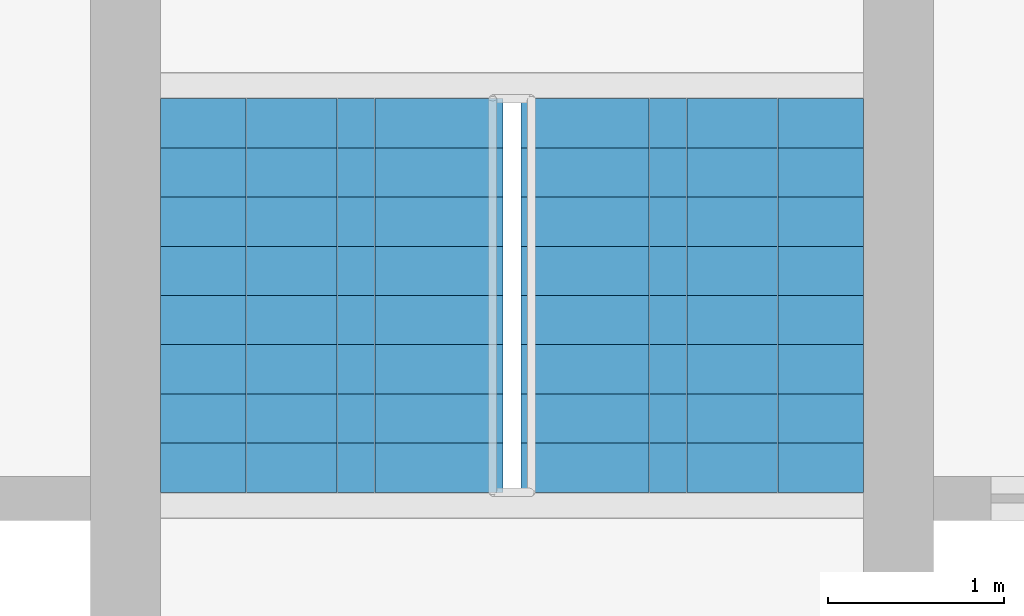
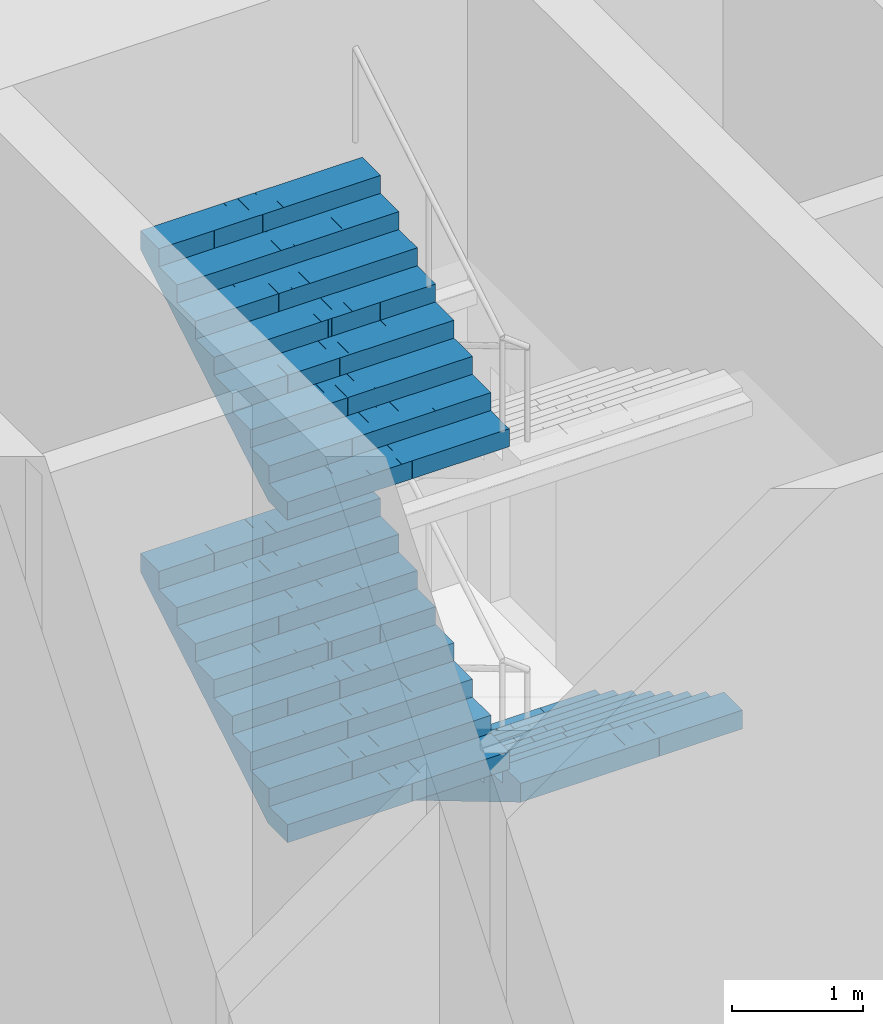
# One storey, part 18 of 20: 3 stair flights, 1 element without a shape of its own.
"""IFC4 building model written with IfcOpenShell, lengths in metres."""

from ifc_helpers import new_model, si_unit, direction, frame, origin, place, context, subcontext, project, spatial, polyline, outline, extrude, material, type_object, element, aggregate, save


model = new_model("IFC4")

# Units and contexts
model_context = context("Model", 3, precision=1e-05, world=origin(), true_north=direction((0.0, 1.0)))
body_context = subcontext(model_context, "Body", "Model", "MODEL_VIEW")
ifc_project = project(units=[si_unit("LENGTHUNIT", "METRE"), si_unit("AREAUNIT", "SQUARE_METRE"), si_unit("VOLUMEUNIT", "CUBIC_METRE"), si_unit("PLANEANGLEUNIT", "RADIAN"), si_unit("MASSUNIT", "GRAM", prefix="KILO")], contexts=[model_context])

# Site, building, storey
site_placement = place(None, origin())
site = spatial("IfcSite", under=ifc_project, at=site_placement, CompositionType="ELEMENT")
building_placement = place(site_placement, origin())
building = spatial("IfcBuilding", under=site, at=building_placement, Name="Mizan Broadcast Tower", CompositionType="ELEMENT")
storey_placement = place(building_placement, frame((0.0, 0.0, 118.199951171875)))
storey = spatial("IfcBuildingStorey", under=building, at=storey_placement, Name="L26", CompositionType="ELEMENT", Elevation=118.199951171875)

# Stair, stair flights
ifc_material_1 = material(Name="Concrete C40/50", Category="concrete")
stair_type = type_object("IfcStairType", Name="EXIT STAIR", PredefinedType="HALF_TURN_STAIR", material=ifc_material_1)
stair_placement = place(storey_placement, origin())
stair = element("IfcStair", 1, at=stair_placement, inside=storey, type_object=stair_type, Name="Stair B L26", PredefinedType="HALF_TURN_STAIR")
ifc_material_2 = material(Name="Concrete C40/50", Category="concrete")
stair_flight_type = type_object("IfcStairFlightType", Name="EXIT STAIR FLIGHT", PredefinedType="STRAIGHT", material=ifc_material_2)
stair_flight_1_placement = place(storey_placement, frame((1.02490234375, 7.89990234375, 0.0), z_axis=(0.0, 0.0, 1.0), x_axis=(0.0, -1.0, 0.0)))
stair_flight_1 = element("IfcStairFlight", 2, at=stair_flight_1_placement, type_object=stair_flight_type, Name="B flight 1", NumberOfRisers=9, NumberOfTreads=8, PredefinedType="STRAIGHT", RiserHeight=0.166666667, TreadLength=0.28, context=body_context, shape_type="SweptSolid", body=[
    extrude(outline(polyline([(0.0, 0.0), (0.0, 0.166748046875), (0.280029296875, 0.166748046875), (0.280029296875, 0.333251953125), (0.56005859375, 0.333251953125), (0.56005859375, 0.5), (0.840087890625, 0.5), (0.840087890625, 0.666748046875), (1.1201171875, 0.666748046875), (1.1201171875, 0.833251953125), (1.39990234375, 0.833251953125), (1.39990234375, 1.0), (1.679931640625, 1.0), (1.679931640625, 1.166748046875), (1.9599609375, 1.166748046875), (1.9599609375, 1.333251953125), (2.239990234375, 1.333251953125), (2.239990234375, 1.5), (2.239990234375, 1.158935546875), (0.29296875, 0.0), (0.0, 0.0)])), frame((0.0, 0.97509765625, 0.0), z_axis=(0.0, -1.0, 0.0), x_axis=(1.0, 0.0, 0.0)), (0.0, 0.0, 1.0), 0.4873046875),
    extrude(outline(polyline([(0.0, 0.0), (0.0, 0.166748046875), (0.280029296875, 0.166748046875), (0.280029296875, 0.333251953125), (0.56005859375, 0.333251953125), (0.56005859375, 0.5), (0.840087890625, 0.5), (0.840087890625, 0.666748046875), (1.1201171875, 0.666748046875), (1.1201171875, 0.833251953125), (1.39990234375, 0.833251953125), (1.39990234375, 1.0), (1.679931640625, 1.0), (1.679931640625, 1.166748046875), (1.9599609375, 1.166748046875), (1.9599609375, 1.333251953125), (2.239990234375, 1.333251953125), (2.239990234375, 1.5), (2.239990234375, 1.158935546875), (0.29296875, 0.0), (0.0, 0.0)])), frame((0.0, 0.4873046875, 0.0), z_axis=(0.0, -1.0, 0.0), x_axis=(1.0, 0.0, 0.0)), (0.0, 0.0, 1.0), 0.2431640625),
    extrude(outline(polyline([(0.0, 0.0), (0.0, 0.166748046875), (0.280029296875, 0.166748046875), (0.280029296875, 0.333251953125), (0.56005859375, 0.333251953125), (0.56005859375, 0.5), (0.840087890625, 0.5), (0.840087890625, 0.666748046875), (1.1201171875, 0.666748046875), (1.1201171875, 0.833251953125), (1.39990234375, 0.833251953125), (1.39990234375, 1.0), (1.679931640625, 1.0), (1.679931640625, 1.166748046875), (1.9599609375, 1.166748046875), (1.9599609375, 1.333251953125), (2.239990234375, 1.333251953125), (2.239990234375, 1.5), (2.239990234375, 1.158935546875), (0.29296875, 0.0), (0.0, 0.0)])), frame((0.0, 0.24365234375, 0.0), z_axis=(0.0, -1.0, 0.0), x_axis=(1.0, 0.0, 0.0)), (0.0, 0.0, 1.0), 0.121337890625),
    extrude(outline(polyline([(0.0, 0.0), (0.0, 0.166748046875), (0.280029296875, 0.166748046875), (0.280029296875, 0.333251953125), (0.56005859375, 0.333251953125), (0.56005859375, 0.5), (0.840087890625, 0.5), (0.840087890625, 0.666748046875), (1.1201171875, 0.666748046875), (1.1201171875, 0.833251953125), (1.39990234375, 0.833251953125), (1.39990234375, 1.0), (1.679931640625, 1.0), (1.679931640625, 1.166748046875), (1.9599609375, 1.166748046875), (1.9599609375, 1.333251953125), (2.239990234375, 1.333251953125), (2.239990234375, 1.5), (2.239990234375, 1.158935546875), (0.29296875, 0.0), (0.0, 0.0)])), frame((0.0, 0.121826171875, 0.0), z_axis=(0.0, -1.0, 0.0), x_axis=(1.0, 0.0, 0.0)), (0.0, 0.0, 1.0), 0.060546875),
    extrude(outline(polyline([(0.0, 0.0), (0.0, 0.166748046875), (0.280029296875, 0.166748046875), (0.280029296875, 0.333251953125), (0.56005859375, 0.333251953125), (0.56005859375, 0.5), (0.840087890625, 0.5), (0.840087890625, 0.666748046875), (1.1201171875, 0.666748046875), (1.1201171875, 0.833251953125), (1.39990234375, 0.833251953125), (1.39990234375, 1.0), (1.679931640625, 1.0), (1.679931640625, 1.166748046875), (1.9599609375, 1.166748046875), (1.9599609375, 1.333251953125), (2.239990234375, 1.333251953125), (2.239990234375, 1.5), (2.239990234375, 1.158935546875), (0.29296875, 0.0), (0.0, 0.0)])), frame((0.0, 0.060791015625, 0.0), z_axis=(0.0, -1.0, 0.0), x_axis=(1.0, 0.0, 0.0)), (0.0, 0.0, 1.0), 0.030029296875),
    extrude(outline(polyline([(0.0, 0.0), (0.0, 0.166748046875), (0.280029296875, 0.166748046875), (0.280029296875, 0.333251953125), (0.56005859375, 0.333251953125), (0.56005859375, 0.5), (0.840087890625, 0.5), (0.840087890625, 0.666748046875), (1.1201171875, 0.666748046875), (1.1201171875, 0.833251953125), (1.39990234375, 0.833251953125), (1.39990234375, 1.0), (1.679931640625, 1.0), (1.679931640625, 1.166748046875), (1.9599609375, 1.166748046875), (1.9599609375, 1.333251953125), (2.239990234375, 1.333251953125), (2.239990234375, 1.5), (2.239990234375, 1.158935546875), (0.29296875, 0.0), (0.0, 0.0)])), frame((0.0, 0.0302734375, 0.0), z_axis=(0.0, -1.0, 0.0), x_axis=(1.0, 0.0, 0.0)), (0.0, 0.0, 1.0), 0.060302734375),
    extrude(outline(polyline([(0.0, 0.0), (0.0, 0.166748046875), (0.280029296875, 0.166748046875), (0.280029296875, 0.333251953125), (0.56005859375, 0.333251953125), (0.56005859375, 0.5), (0.840087890625, 0.5), (0.840087890625, 0.666748046875), (1.1201171875, 0.666748046875), (1.1201171875, 0.833251953125), (1.39990234375, 0.833251953125), (1.39990234375, 1.0), (1.679931640625, 1.0), (1.679931640625, 1.166748046875), (1.9599609375, 1.166748046875), (1.9599609375, 1.333251953125), (2.239990234375, 1.333251953125), (2.239990234375, 1.5), (2.239990234375, 1.158935546875), (0.29296875, 0.0), (0.0, 0.0)])), frame((0.0, -0.030517578125, 0.0), z_axis=(0.0, -1.0, 0.0), x_axis=(1.0, 0.0, 0.0)), (0.0, 0.0, 1.0), 0.030029296875),
    extrude(outline(polyline([(0.0, 0.0), (0.0, 0.166748046875), (0.280029296875, 0.166748046875), (0.280029296875, 0.333251953125), (0.56005859375, 0.333251953125), (0.56005859375, 0.5), (0.840087890625, 0.5), (0.840087890625, 0.666748046875), (1.1201171875, 0.666748046875), (1.1201171875, 0.833251953125), (1.39990234375, 0.833251953125), (1.39990234375, 1.0), (1.679931640625, 1.0), (1.679931640625, 1.166748046875), (1.9599609375, 1.166748046875), (1.9599609375, 1.333251953125), (2.239990234375, 1.333251953125), (2.239990234375, 1.5), (2.239990234375, 1.158935546875), (0.29296875, 0.0), (0.0, 0.0)])), frame((0.0, -0.06103515625, 0.0), z_axis=(0.0, -1.0, 0.0), x_axis=(1.0, 0.0, 0.0)), (0.0, 0.0, 1.0), 0.060546875),
    extrude(outline(polyline([(0.0, 0.0), (0.0, 0.166748046875), (0.280029296875, 0.166748046875), (0.280029296875, 0.333251953125), (0.56005859375, 0.333251953125), (0.56005859375, 0.5), (0.840087890625, 0.5), (0.840087890625, 0.666748046875), (1.1201171875, 0.666748046875), (1.1201171875, 0.833251953125), (1.39990234375, 0.833251953125), (1.39990234375, 1.0), (1.679931640625, 1.0), (1.679931640625, 1.166748046875), (1.9599609375, 1.166748046875), (1.9599609375, 1.333251953125), (2.239990234375, 1.333251953125), (2.239990234375, 1.5), (2.239990234375, 1.158935546875), (0.29296875, 0.0), (0.0, 0.0)])), frame((0.0, -0.1220703125, 0.0), z_axis=(0.0, -1.0, 0.0), x_axis=(1.0, 0.0, 0.0)), (0.0, 0.0, 1.0), 0.121337890625),
    extrude(outline(polyline([(0.0, 0.0), (0.0, 0.166748046875), (0.280029296875, 0.166748046875), (0.280029296875, 0.333251953125), (0.56005859375, 0.333251953125), (0.56005859375, 0.5), (0.840087890625, 0.5), (0.840087890625, 0.666748046875), (1.1201171875, 0.666748046875), (1.1201171875, 0.833251953125), (1.39990234375, 0.833251953125), (1.39990234375, 1.0), (1.679931640625, 1.0), (1.679931640625, 1.166748046875), (1.9599609375, 1.166748046875), (1.9599609375, 1.333251953125), (2.239990234375, 1.333251953125), (2.239990234375, 1.5), (2.239990234375, 1.158935546875), (0.29296875, 0.0), (0.0, 0.0)])), frame((0.0, -0.243896484375, 0.0), z_axis=(0.0, -1.0, 0.0), x_axis=(1.0, 0.0, 0.0)), (0.0, 0.0, 1.0), 0.2431640625),
    extrude(outline(polyline([(0.0, 0.0), (0.0, 0.166748046875), (0.280029296875, 0.166748046875), (0.280029296875, 0.333251953125), (0.56005859375, 0.333251953125), (0.56005859375, 0.5), (0.840087890625, 0.5), (0.840087890625, 0.666748046875), (1.1201171875, 0.666748046875), (1.1201171875, 0.833251953125), (1.39990234375, 0.833251953125), (1.39990234375, 1.0), (1.679931640625, 1.0), (1.679931640625, 1.166748046875), (1.9599609375, 1.166748046875), (1.9599609375, 1.333251953125), (2.239990234375, 1.333251953125), (2.239990234375, 1.5), (2.239990234375, 1.158935546875), (0.29296875, 0.0), (0.0, 0.0)])), frame((0.0, -0.487548828125, 0.0), z_axis=(0.0, -1.0, 0.0), x_axis=(1.0, 0.0, 0.0)), (0.0, 0.0, 1.0), 0.4873046875),
])
stair_flight_2_placement = place(storey_placement, frame((-1.02490234375, 5.659912109375, 1.5), z_axis=(0.0, 0.0, 1.0), x_axis=(0.0, 1.0, 0.0)))
stair_flight_2 = element("IfcStairFlight", 3, at=stair_flight_2_placement, type_object=stair_flight_type, Name="B flight 2", NumberOfRisers=9, NumberOfTreads=8, PredefinedType="STRAIGHT", RiserHeight=0.166666667, TreadLength=0.28, context=body_context, shape_type="SweptSolid", body=[
    extrude(outline(polyline([(0.0, 0.0), (0.0, 0.166748046875), (0.280029296875, 0.166748046875), (0.280029296875, 0.333251953125), (0.56005859375, 0.333251953125), (0.56005859375, 0.5), (0.840087890625, 0.5), (0.840087890625, 0.666748046875), (1.1201171875, 0.666748046875), (1.1201171875, 0.833251953125), (1.39990234375, 0.833251953125), (1.39990234375, 1.0), (1.679931640625, 1.0), (1.679931640625, 1.166748046875), (1.9599609375, 1.166748046875), (1.9599609375, 1.333251953125), (2.239990234375, 1.333251953125), (2.239990234375, 1.5), (2.239990234375, 1.158935546875), (0.29296875, 0.0), (0.0, 0.0)])), frame((0.0, 0.97509765625, 0.0), z_axis=(0.0, -1.0, 0.0), x_axis=(1.0, 0.0, 0.0)), (0.0, 0.0, 1.0), 0.4873046875),
    extrude(outline(polyline([(0.0, 0.0), (0.0, 0.166748046875), (0.280029296875, 0.166748046875), (0.280029296875, 0.333251953125), (0.56005859375, 0.333251953125), (0.56005859375, 0.5), (0.840087890625, 0.5), (0.840087890625, 0.666748046875), (1.1201171875, 0.666748046875), (1.1201171875, 0.833251953125), (1.39990234375, 0.833251953125), (1.39990234375, 1.0), (1.679931640625, 1.0), (1.679931640625, 1.166748046875), (1.9599609375, 1.166748046875), (1.9599609375, 1.333251953125), (2.239990234375, 1.333251953125), (2.239990234375, 1.5), (2.239990234375, 1.158935546875), (0.29296875, 0.0), (0.0, 0.0)])), frame((0.0, 0.4873046875, 0.0), z_axis=(0.0, -1.0, 0.0), x_axis=(1.0, 0.0, 0.0)), (0.0, 0.0, 1.0), 0.2431640625),
    extrude(outline(polyline([(0.0, 0.0), (0.0, 0.166748046875), (0.280029296875, 0.166748046875), (0.280029296875, 0.333251953125), (0.56005859375, 0.333251953125), (0.56005859375, 0.5), (0.840087890625, 0.5), (0.840087890625, 0.666748046875), (1.1201171875, 0.666748046875), (1.1201171875, 0.833251953125), (1.39990234375, 0.833251953125), (1.39990234375, 1.0), (1.679931640625, 1.0), (1.679931640625, 1.166748046875), (1.9599609375, 1.166748046875), (1.9599609375, 1.333251953125), (2.239990234375, 1.333251953125), (2.239990234375, 1.5), (2.239990234375, 1.158935546875), (0.29296875, 0.0), (0.0, 0.0)])), frame((0.0, 0.24365234375, 0.0), z_axis=(0.0, -1.0, 0.0), x_axis=(1.0, 0.0, 0.0)), (0.0, 0.0, 1.0), 0.121337890625),
    extrude(outline(polyline([(0.0, 0.0), (0.0, 0.166748046875), (0.280029296875, 0.166748046875), (0.280029296875, 0.333251953125), (0.56005859375, 0.333251953125), (0.56005859375, 0.5), (0.840087890625, 0.5), (0.840087890625, 0.666748046875), (1.1201171875, 0.666748046875), (1.1201171875, 0.833251953125), (1.39990234375, 0.833251953125), (1.39990234375, 1.0), (1.679931640625, 1.0), (1.679931640625, 1.166748046875), (1.9599609375, 1.166748046875), (1.9599609375, 1.333251953125), (2.239990234375, 1.333251953125), (2.239990234375, 1.5), (2.239990234375, 1.158935546875), (0.29296875, 0.0), (0.0, 0.0)])), frame((0.0, 0.121826171875, 0.0), z_axis=(0.0, -1.0, 0.0), x_axis=(1.0, 0.0, 0.0)), (0.0, 0.0, 1.0), 0.060546875),
    extrude(outline(polyline([(0.0, 0.0), (0.0, 0.166748046875), (0.280029296875, 0.166748046875), (0.280029296875, 0.333251953125), (0.56005859375, 0.333251953125), (0.56005859375, 0.5), (0.840087890625, 0.5), (0.840087890625, 0.666748046875), (1.1201171875, 0.666748046875), (1.1201171875, 0.833251953125), (1.39990234375, 0.833251953125), (1.39990234375, 1.0), (1.679931640625, 1.0), (1.679931640625, 1.166748046875), (1.9599609375, 1.166748046875), (1.9599609375, 1.333251953125), (2.239990234375, 1.333251953125), (2.239990234375, 1.5), (2.239990234375, 1.158935546875), (0.29296875, 0.0), (0.0, 0.0)])), frame((0.0, 0.060791015625, 0.0), z_axis=(0.0, -1.0, 0.0), x_axis=(1.0, 0.0, 0.0)), (0.0, 0.0, 1.0), 0.030029296875),
    extrude(outline(polyline([(0.0, 0.0), (0.0, 0.166748046875), (0.280029296875, 0.166748046875), (0.280029296875, 0.333251953125), (0.56005859375, 0.333251953125), (0.56005859375, 0.5), (0.840087890625, 0.5), (0.840087890625, 0.666748046875), (1.1201171875, 0.666748046875), (1.1201171875, 0.833251953125), (1.39990234375, 0.833251953125), (1.39990234375, 1.0), (1.679931640625, 1.0), (1.679931640625, 1.166748046875), (1.9599609375, 1.166748046875), (1.9599609375, 1.333251953125), (2.239990234375, 1.333251953125), (2.239990234375, 1.5), (2.239990234375, 1.158935546875), (0.29296875, 0.0), (0.0, 0.0)])), frame((0.0, 0.0302734375, 0.0), z_axis=(0.0, -1.0, 0.0), x_axis=(1.0, 0.0, 0.0)), (0.0, 0.0, 1.0), 0.060302734375),
    extrude(outline(polyline([(0.0, 0.0), (0.0, 0.166748046875), (0.280029296875, 0.166748046875), (0.280029296875, 0.333251953125), (0.56005859375, 0.333251953125), (0.56005859375, 0.5), (0.840087890625, 0.5), (0.840087890625, 0.666748046875), (1.1201171875, 0.666748046875), (1.1201171875, 0.833251953125), (1.39990234375, 0.833251953125), (1.39990234375, 1.0), (1.679931640625, 1.0), (1.679931640625, 1.166748046875), (1.9599609375, 1.166748046875), (1.9599609375, 1.333251953125), (2.239990234375, 1.333251953125), (2.239990234375, 1.5), (2.239990234375, 1.158935546875), (0.29296875, 0.0), (0.0, 0.0)])), frame((0.0, -0.030517578125, 0.0), z_axis=(0.0, -1.0, 0.0), x_axis=(1.0, 0.0, 0.0)), (0.0, 0.0, 1.0), 0.030029296875),
    extrude(outline(polyline([(0.0, 0.0), (0.0, 0.166748046875), (0.280029296875, 0.166748046875), (0.280029296875, 0.333251953125), (0.56005859375, 0.333251953125), (0.56005859375, 0.5), (0.840087890625, 0.5), (0.840087890625, 0.666748046875), (1.1201171875, 0.666748046875), (1.1201171875, 0.833251953125), (1.39990234375, 0.833251953125), (1.39990234375, 1.0), (1.679931640625, 1.0), (1.679931640625, 1.166748046875), (1.9599609375, 1.166748046875), (1.9599609375, 1.333251953125), (2.239990234375, 1.333251953125), (2.239990234375, 1.5), (2.239990234375, 1.158935546875), (0.29296875, 0.0), (0.0, 0.0)])), frame((0.0, -0.06103515625, 0.0), z_axis=(0.0, -1.0, 0.0), x_axis=(1.0, 0.0, 0.0)), (0.0, 0.0, 1.0), 0.060546875),
    extrude(outline(polyline([(0.0, 0.0), (0.0, 0.166748046875), (0.280029296875, 0.166748046875), (0.280029296875, 0.333251953125), (0.56005859375, 0.333251953125), (0.56005859375, 0.5), (0.840087890625, 0.5), (0.840087890625, 0.666748046875), (1.1201171875, 0.666748046875), (1.1201171875, 0.833251953125), (1.39990234375, 0.833251953125), (1.39990234375, 1.0), (1.679931640625, 1.0), (1.679931640625, 1.166748046875), (1.9599609375, 1.166748046875), (1.9599609375, 1.333251953125), (2.239990234375, 1.333251953125), (2.239990234375, 1.5), (2.239990234375, 1.158935546875), (0.29296875, 0.0), (0.0, 0.0)])), frame((0.0, -0.1220703125, 0.0), z_axis=(0.0, -1.0, 0.0), x_axis=(1.0, 0.0, 0.0)), (0.0, 0.0, 1.0), 0.121337890625),
    extrude(outline(polyline([(0.0, 0.0), (0.0, 0.166748046875), (0.280029296875, 0.166748046875), (0.280029296875, 0.333251953125), (0.56005859375, 0.333251953125), (0.56005859375, 0.5), (0.840087890625, 0.5), (0.840087890625, 0.666748046875), (1.1201171875, 0.666748046875), (1.1201171875, 0.833251953125), (1.39990234375, 0.833251953125), (1.39990234375, 1.0), (1.679931640625, 1.0), (1.679931640625, 1.166748046875), (1.9599609375, 1.166748046875), (1.9599609375, 1.333251953125), (2.239990234375, 1.333251953125), (2.239990234375, 1.5), (2.239990234375, 1.158935546875), (0.29296875, 0.0), (0.0, 0.0)])), frame((0.0, -0.243896484375, 0.0), z_axis=(0.0, -1.0, 0.0), x_axis=(1.0, 0.0, 0.0)), (0.0, 0.0, 1.0), 0.2431640625),
    extrude(outline(polyline([(0.0, 0.0), (0.0, 0.166748046875), (0.280029296875, 0.166748046875), (0.280029296875, 0.333251953125), (0.56005859375, 0.333251953125), (0.56005859375, 0.5), (0.840087890625, 0.5), (0.840087890625, 0.666748046875), (1.1201171875, 0.666748046875), (1.1201171875, 0.833251953125), (1.39990234375, 0.833251953125), (1.39990234375, 1.0), (1.679931640625, 1.0), (1.679931640625, 1.166748046875), (1.9599609375, 1.166748046875), (1.9599609375, 1.333251953125), (2.239990234375, 1.333251953125), (2.239990234375, 1.5), (2.239990234375, 1.158935546875), (0.29296875, 0.0), (0.0, 0.0)])), frame((0.0, -0.487548828125, 0.0), z_axis=(0.0, -1.0, 0.0), x_axis=(1.0, 0.0, 0.0)), (0.0, 0.0, 1.0), 0.4873046875),
])
stair_flight_3_placement = place(storey_placement, frame((-1.02490234375, 5.659912109375, 4.5), z_axis=(0.0, 0.0, 1.0), x_axis=(0.0, 1.0, 0.0)))
stair_flight_3 = element("IfcStairFlight", 4, at=stair_flight_3_placement, type_object=stair_flight_type, Name="B flight 4", NumberOfRisers=9, NumberOfTreads=8, PredefinedType="STRAIGHT", RiserHeight=0.166666667, TreadLength=0.28, context=body_context, shape_type="SweptSolid", body=[
    extrude(outline(polyline([(0.0, 0.0), (0.0, 0.166748046875), (0.280029296875, 0.166748046875), (0.280029296875, 0.333251953125), (0.56005859375, 0.333251953125), (0.56005859375, 0.5), (0.840087890625, 0.5), (0.840087890625, 0.666748046875), (1.1201171875, 0.666748046875), (1.1201171875, 0.833251953125), (1.39990234375, 0.833251953125), (1.39990234375, 1.0), (1.679931640625, 1.0), (1.679931640625, 1.166748046875), (1.9599609375, 1.166748046875), (1.9599609375, 1.333251953125), (2.239990234375, 1.333251953125), (2.239990234375, 1.5), (2.239990234375, 1.158935546875), (0.29296875, 0.0), (0.0, 0.0)])), frame((0.0, 0.97509765625, 0.0), z_axis=(0.0, -1.0, 0.0), x_axis=(1.0, 0.0, 0.0)), (0.0, 0.0, 1.0), 0.4873046875),
    extrude(outline(polyline([(0.0, 0.0), (0.0, 0.166748046875), (0.280029296875, 0.166748046875), (0.280029296875, 0.333251953125), (0.56005859375, 0.333251953125), (0.56005859375, 0.5), (0.840087890625, 0.5), (0.840087890625, 0.666748046875), (1.1201171875, 0.666748046875), (1.1201171875, 0.833251953125), (1.39990234375, 0.833251953125), (1.39990234375, 1.0), (1.679931640625, 1.0), (1.679931640625, 1.166748046875), (1.9599609375, 1.166748046875), (1.9599609375, 1.333251953125), (2.239990234375, 1.333251953125), (2.239990234375, 1.5), (2.239990234375, 1.158935546875), (0.29296875, 0.0), (0.0, 0.0)])), frame((0.0, 0.4873046875, 0.0), z_axis=(0.0, -1.0, 0.0), x_axis=(1.0, 0.0, 0.0)), (0.0, 0.0, 1.0), 0.2431640625),
    extrude(outline(polyline([(0.0, 0.0), (0.0, 0.166748046875), (0.280029296875, 0.166748046875), (0.280029296875, 0.333251953125), (0.56005859375, 0.333251953125), (0.56005859375, 0.5), (0.840087890625, 0.5), (0.840087890625, 0.666748046875), (1.1201171875, 0.666748046875), (1.1201171875, 0.833251953125), (1.39990234375, 0.833251953125), (1.39990234375, 1.0), (1.679931640625, 1.0), (1.679931640625, 1.166748046875), (1.9599609375, 1.166748046875), (1.9599609375, 1.333251953125), (2.239990234375, 1.333251953125), (2.239990234375, 1.5), (2.239990234375, 1.158935546875), (0.29296875, 0.0), (0.0, 0.0)])), frame((0.0, 0.24365234375, 0.0), z_axis=(0.0, -1.0, 0.0), x_axis=(1.0, 0.0, 0.0)), (0.0, 0.0, 1.0), 0.121337890625),
    extrude(outline(polyline([(0.0, 0.0), (0.0, 0.166748046875), (0.280029296875, 0.166748046875), (0.280029296875, 0.333251953125), (0.56005859375, 0.333251953125), (0.56005859375, 0.5), (0.840087890625, 0.5), (0.840087890625, 0.666748046875), (1.1201171875, 0.666748046875), (1.1201171875, 0.833251953125), (1.39990234375, 0.833251953125), (1.39990234375, 1.0), (1.679931640625, 1.0), (1.679931640625, 1.166748046875), (1.9599609375, 1.166748046875), (1.9599609375, 1.333251953125), (2.239990234375, 1.333251953125), (2.239990234375, 1.5), (2.239990234375, 1.158935546875), (0.29296875, 0.0), (0.0, 0.0)])), frame((0.0, 0.121826171875, 0.0), z_axis=(0.0, -1.0, 0.0), x_axis=(1.0, 0.0, 0.0)), (0.0, 0.0, 1.0), 0.060546875),
    extrude(outline(polyline([(0.0, 0.0), (0.0, 0.166748046875), (0.280029296875, 0.166748046875), (0.280029296875, 0.333251953125), (0.56005859375, 0.333251953125), (0.56005859375, 0.5), (0.840087890625, 0.5), (0.840087890625, 0.666748046875), (1.1201171875, 0.666748046875), (1.1201171875, 0.833251953125), (1.39990234375, 0.833251953125), (1.39990234375, 1.0), (1.679931640625, 1.0), (1.679931640625, 1.166748046875), (1.9599609375, 1.166748046875), (1.9599609375, 1.333251953125), (2.239990234375, 1.333251953125), (2.239990234375, 1.5), (2.239990234375, 1.158935546875), (0.29296875, 0.0), (0.0, 0.0)])), frame((0.0, 0.060791015625, 0.0), z_axis=(0.0, -1.0, 0.0), x_axis=(1.0, 0.0, 0.0)), (0.0, 0.0, 1.0), 0.030029296875),
    extrude(outline(polyline([(0.0, 0.0), (0.0, 0.166748046875), (0.280029296875, 0.166748046875), (0.280029296875, 0.333251953125), (0.56005859375, 0.333251953125), (0.56005859375, 0.5), (0.840087890625, 0.5), (0.840087890625, 0.666748046875), (1.1201171875, 0.666748046875), (1.1201171875, 0.833251953125), (1.39990234375, 0.833251953125), (1.39990234375, 1.0), (1.679931640625, 1.0), (1.679931640625, 1.166748046875), (1.9599609375, 1.166748046875), (1.9599609375, 1.333251953125), (2.239990234375, 1.333251953125), (2.239990234375, 1.5), (2.239990234375, 1.158935546875), (0.29296875, 0.0), (0.0, 0.0)])), frame((0.0, 0.0302734375, 0.0), z_axis=(0.0, -1.0, 0.0), x_axis=(1.0, 0.0, 0.0)), (0.0, 0.0, 1.0), 0.060302734375),
    extrude(outline(polyline([(0.0, 0.0), (0.0, 0.166748046875), (0.280029296875, 0.166748046875), (0.280029296875, 0.333251953125), (0.56005859375, 0.333251953125), (0.56005859375, 0.5), (0.840087890625, 0.5), (0.840087890625, 0.666748046875), (1.1201171875, 0.666748046875), (1.1201171875, 0.833251953125), (1.39990234375, 0.833251953125), (1.39990234375, 1.0), (1.679931640625, 1.0), (1.679931640625, 1.166748046875), (1.9599609375, 1.166748046875), (1.9599609375, 1.333251953125), (2.239990234375, 1.333251953125), (2.239990234375, 1.5), (2.239990234375, 1.158935546875), (0.29296875, 0.0), (0.0, 0.0)])), frame((0.0, -0.030517578125, 0.0), z_axis=(0.0, -1.0, 0.0), x_axis=(1.0, 0.0, 0.0)), (0.0, 0.0, 1.0), 0.030029296875),
    extrude(outline(polyline([(0.0, 0.0), (0.0, 0.166748046875), (0.280029296875, 0.166748046875), (0.280029296875, 0.333251953125), (0.56005859375, 0.333251953125), (0.56005859375, 0.5), (0.840087890625, 0.5), (0.840087890625, 0.666748046875), (1.1201171875, 0.666748046875), (1.1201171875, 0.833251953125), (1.39990234375, 0.833251953125), (1.39990234375, 1.0), (1.679931640625, 1.0), (1.679931640625, 1.166748046875), (1.9599609375, 1.166748046875), (1.9599609375, 1.333251953125), (2.239990234375, 1.333251953125), (2.239990234375, 1.5), (2.239990234375, 1.158935546875), (0.29296875, 0.0), (0.0, 0.0)])), frame((0.0, -0.06103515625, 0.0), z_axis=(0.0, -1.0, 0.0), x_axis=(1.0, 0.0, 0.0)), (0.0, 0.0, 1.0), 0.060546875),
    extrude(outline(polyline([(0.0, 0.0), (0.0, 0.166748046875), (0.280029296875, 0.166748046875), (0.280029296875, 0.333251953125), (0.56005859375, 0.333251953125), (0.56005859375, 0.5), (0.840087890625, 0.5), (0.840087890625, 0.666748046875), (1.1201171875, 0.666748046875), (1.1201171875, 0.833251953125), (1.39990234375, 0.833251953125), (1.39990234375, 1.0), (1.679931640625, 1.0), (1.679931640625, 1.166748046875), (1.9599609375, 1.166748046875), (1.9599609375, 1.333251953125), (2.239990234375, 1.333251953125), (2.239990234375, 1.5), (2.239990234375, 1.158935546875), (0.29296875, 0.0), (0.0, 0.0)])), frame((0.0, -0.1220703125, 0.0), z_axis=(0.0, -1.0, 0.0), x_axis=(1.0, 0.0, 0.0)), (0.0, 0.0, 1.0), 0.121337890625),
    extrude(outline(polyline([(0.0, 0.0), (0.0, 0.166748046875), (0.280029296875, 0.166748046875), (0.280029296875, 0.333251953125), (0.56005859375, 0.333251953125), (0.56005859375, 0.5), (0.840087890625, 0.5), (0.840087890625, 0.666748046875), (1.1201171875, 0.666748046875), (1.1201171875, 0.833251953125), (1.39990234375, 0.833251953125), (1.39990234375, 1.0), (1.679931640625, 1.0), (1.679931640625, 1.166748046875), (1.9599609375, 1.166748046875), (1.9599609375, 1.333251953125), (2.239990234375, 1.333251953125), (2.239990234375, 1.5), (2.239990234375, 1.158935546875), (0.29296875, 0.0), (0.0, 0.0)])), frame((0.0, -0.243896484375, 0.0), z_axis=(0.0, -1.0, 0.0), x_axis=(1.0, 0.0, 0.0)), (0.0, 0.0, 1.0), 0.2431640625),
    extrude(outline(polyline([(0.0, 0.0), (0.0, 0.166748046875), (0.280029296875, 0.166748046875), (0.280029296875, 0.333251953125), (0.56005859375, 0.333251953125), (0.56005859375, 0.5), (0.840087890625, 0.5), (0.840087890625, 0.666748046875), (1.1201171875, 0.666748046875), (1.1201171875, 0.833251953125), (1.39990234375, 0.833251953125), (1.39990234375, 1.0), (1.679931640625, 1.0), (1.679931640625, 1.166748046875), (1.9599609375, 1.166748046875), (1.9599609375, 1.333251953125), (2.239990234375, 1.333251953125), (2.239990234375, 1.5), (2.239990234375, 1.158935546875), (0.29296875, 0.0), (0.0, 0.0)])), frame((0.0, -0.487548828125, 0.0), z_axis=(0.0, -1.0, 0.0), x_axis=(1.0, 0.0, 0.0)), (0.0, 0.0, 1.0), 0.4873046875),
])
aggregate(stair, [stair_flight_1, stair_flight_2, stair_flight_3])

save(model, "model.ifc")
